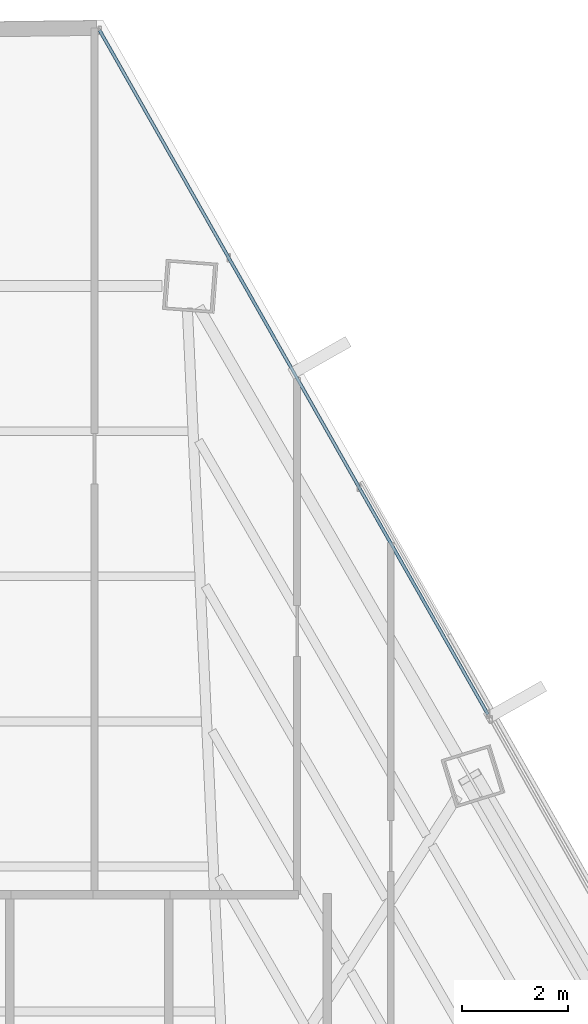
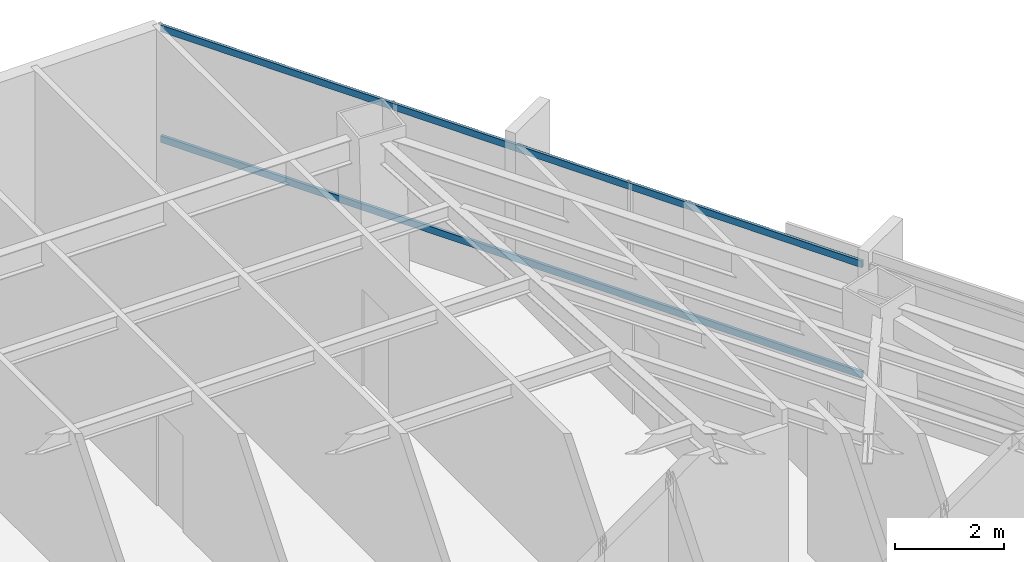
# One storey, part 33 of 42: 2 members, 1 element without a shape of its own.
"""IFC4 building model written with IfcOpenShell, lengths in metres."""

import ifcopenshell
import ifcopenshell.guid

model = None  # the IFC model being written
_history = None  # IfcOwnerHistory: only IFC2X3 demands one
_inside = {}  # id of a spatial element -> (the spatial element, [elements in it])
_under = {}  # id of a project, library or spatial element -> (it, [spatial elements below it])
_declared = {}  # id of a project -> (the project, [libraries it declares])
_typed = {}  # id of a type object -> (the type object, [elements of that type])
_made_of = {}  # id of a material, layer set ... -> (it, [elements and type objects made of it])


def new_model(schema):
    """Start an empty IFC model of exactly this schema.

    Asked for "IFC4X3", IfcOpenShell would pick the latest addendum, in which some entities
    have other attributes; the version numbers below select the first issue.
    IFC2X3 requires an IfcOwnerHistory on every rooted entity: one is made here for all.
    """
    global model, _history
    if schema == "IFC4X3":
        model = ifcopenshell.file(schema_version=(4, 3, 0, 0))
    else:
        model = ifcopenshell.file(schema=schema)
    _inside.clear()
    _under.clear()
    _declared.clear()
    _typed.clear()
    _made_of.clear()
    _history = None
    if model.schema == "IFC2X3":
        org = make("IfcOrganization", Name="unknown")
        user = make(
            "IfcPersonAndOrganization",
            ThePerson=make("IfcPerson", FamilyName="unknown"),
            TheOrganization=org,
        )
        app = make(
            "IfcApplication",
            ApplicationDeveloper=org,
            Version="unknown",
            ApplicationFullName="unknown",
            ApplicationIdentifier="unknown",
        )
        _history = make(
            "IfcOwnerHistory",
            OwningUser=user,
            OwningApplication=app,
            ChangeAction="ADDED",
            CreationDate=0,
        )
    return model


def make(cls, **values):
    """One entity of the class cls with the attributes given. An attribute that is None is left unset."""
    return model.create_entity(
        cls, **{name: value for name, value in values.items() if value is not None}
    )


def rooted(cls, **values):
    """An entity with a GlobalId (a new one), such as an element, a storey or a relation."""
    return make(cls, GlobalId=ifcopenshell.guid.new(), OwnerHistory=_history, **values)


def si_unit(unit_type, name, prefix=None):
    """IfcSIUnit, for example si_unit("LENGTHUNIT", "METRE", prefix="MILLI")."""
    return make("IfcSIUnit", UnitType=unit_type, Prefix=prefix, Name=name)


def assignment(units):
    """IfcUnitAssignment: the units of a project."""
    return None if units is None else make("IfcUnitAssignment", Units=units)


def point(xyz):
    """IfcCartesianPoint."""
    return None if xyz is None else make("IfcCartesianPoint", Coordinates=xyz)


def direction(xyz):
    """IfcDirection."""
    return None if xyz is None else make("IfcDirection", DirectionRatios=xyz)


def frame(location, z_axis=None, x_axis=None):
    """IfcAxis2Placement3D, a coordinate frame: its origin and axes. An axis left out is left unset."""
    return make(
        "IfcAxis2Placement3D",
        Location=point(location),
        Axis=direction(z_axis),
        RefDirection=direction(x_axis),
    )


def frame_2d(location, x_axis=None):
    """IfcAxis2Placement2D, a coordinate frame in the plane: its origin and x axis."""
    return make(
        "IfcAxis2Placement2D", Location=point(location), RefDirection=direction(x_axis)
    )


def origin():
    """The frame at (0, 0, 0) with its axes left unset."""
    return frame((0.0, 0.0, 0.0))


def origin_2d():
    """The frame at (0, 0) in the plane with its x axis left unset."""
    return frame_2d((0.0, 0.0))


def place(relative_to, where):
    """IfcLocalPlacement: puts the frame where relative to a parent placement (None: the world)."""
    return make(
        "IfcLocalPlacement", PlacementRelTo=relative_to, RelativePlacement=where
    )


def context(
    kind, dimensions, precision=None, world=None, true_north=None, identifier=None
):
    """IfcGeometricRepresentationContext, for example the 3D "Model" context."""
    return make(
        "IfcGeometricRepresentationContext",
        ContextIdentifier=identifier,
        ContextType=kind,
        CoordinateSpaceDimension=dimensions,
        Precision=precision,
        WorldCoordinateSystem=world,
        TrueNorth=true_north,
    )


def subcontext(parent, identifier, kind, view, scale=None):
    """IfcGeometricRepresentationSubContext, for example "Body" below "Model"."""
    return make(
        "IfcGeometricRepresentationSubContext",
        ContextIdentifier=identifier,
        ContextType=kind,
        ParentContext=parent,
        TargetScale=scale,
        TargetView=view,
    )


def project(units=None, contexts=None):
    """IfcProject with its units and contexts."""
    return rooted(
        "IfcProject",
        Name="project",
        RepresentationContexts=contexts,
        UnitsInContext=assignment(units),
    )


def spatial(cls, under=None, at=None, **own):
    """A site, building, storey or space (cls), placed at a placement, below another one or the project."""
    s = rooted(cls, ObjectPlacement=at, **own)
    if under is not None:
        _under.setdefault(under.id(), (under, []))[1].append(s)
    return s


def profile(cls, at=None, kind="AREA", **sizes):
    """A parametric profile (cls). Its sizes go by their IFC names, for example OverallWidth=200.0."""
    return make(cls, ProfileType=kind, Position=at, **sizes)


def hollow_rectangle(**sizes):
    """IfcRectangleHollowProfileDef."""
    return profile("IfcRectangleHollowProfileDef", **sizes)


def extrude(swept, where, along, depth):
    """IfcExtrudedAreaSolid: the profile swept, set in the frame where, extruded along a direction by depth."""
    return make(
        "IfcExtrudedAreaSolid",
        SweptArea=swept,
        Position=where,
        ExtrudedDirection=direction(along),
        Depth=depth,
    )


def shape(context_of_items, identifier, shape_type, items):
    """IfcShapeRepresentation: the items that make up one representation, for example the "Body"."""
    return make(
        "IfcShapeRepresentation",
        ContextOfItems=context_of_items,
        RepresentationIdentifier=identifier,
        RepresentationType=shape_type,
        Items=items,
    )


def source(mapping_origin, context_of_items, identifier, shape_type, items):
    """IfcRepresentationMap: a shape defined once, which mapped items show again and again."""
    return make(
        "IfcRepresentationMap",
        MappingOrigin=mapping_origin,
        MappedRepresentation=shape(context_of_items, identifier, shape_type, items),
    )


def transform(
    local_origin,
    x_axis=None,
    y_axis=None,
    z_axis=None,
    scale=None,
    scale2=None,
    scale3=None,
    uniform=True,
):
    """IfcCartesianTransformationOperator3D, or its non-uniform kind. x_axis, y_axis, z_axis: its Axis1, 2, 3."""
    if uniform:
        return make(
            "IfcCartesianTransformationOperator3D",
            Axis1=direction(x_axis),
            Axis2=direction(y_axis),
            LocalOrigin=point(local_origin),
            Scale=scale,
            Axis3=direction(z_axis),
        )
    return make(
        "IfcCartesianTransformationOperator3DnonUniform",
        Axis1=direction(x_axis),
        Axis2=direction(y_axis),
        LocalOrigin=point(local_origin),
        Scale=scale,
        Axis3=direction(z_axis),
        Scale2=scale2,
        Scale3=scale3,
    )


def mapped(mapping_source, mapping_target):
    """IfcMappedItem: shows the shape of a source again, moved by a transform."""
    return make(
        "IfcMappedItem", MappingSource=mapping_source, MappingTarget=mapping_target
    )


def material(Name=None, Category=None):
    """IfcMaterial."""
    return make("IfcMaterial", Name=Name, Category=Category)


def material_profile(
    of_material, cross_section, Name=None, Category=None, Priority=None
):
    """IfcMaterialProfile: a cross section and its material."""
    return make(
        "IfcMaterialProfile",
        Name=Name,
        Material=of_material,
        Profile=cross_section,
        Priority=Priority,
        Category=Category,
    )


def profile_set(profiles, Name=None, composite=None):
    """IfcMaterialProfileSet."""
    return make(
        "IfcMaterialProfileSet",
        Name=Name,
        MaterialProfiles=profiles,
        CompositeProfile=composite,
    )


def made_of(thing, what):
    """Note that an element or type object is made of a material, layer set ...; save() writes the relation."""
    if what is not None:
        _made_of.setdefault(what.id(), (what, []))[1].append(thing)
    return thing


def type_object(cls, material=None, **own):
    """A type object (cls), such as IfcWallType, which elements share."""
    return made_of(rooted(cls, **own), material)


def type_shapes(of_type, sources):
    """Give a type object the sources (RepresentationMaps) that its elements show as mapped items."""
    of_type.RepresentationMaps = sources


def element(
    cls,
    number,
    at=None,
    inside=None,
    cuts=None,
    type_object=None,
    material=None,
    context=None,
    identifier="Body",
    shape_type=None,
    held_by="IfcProductDefinitionShape",
    body=None,
    shapes=None,
    **own,
):
    """One element of the class cls, such as IfcWall. Its Tag is "e" and its number.

    at: its placement. inside: the storey or other place that contains it. cuts: it is an
    opening in that element (IfcRelVoidsElement). A single representation is given by context,
    identifier, shape_type and body (its items); several are given by shapes. held_by: the class
    of the entity that holds the representations. save() writes the other relations.
    """
    e = rooted(cls, Tag="e%d" % number, ObjectPlacement=at, **own)
    if body is not None:
        shapes = [shape(context, identifier, shape_type, body)]
    if shapes is not None:
        e.Representation = make(held_by, Representations=shapes)
    if inside is not None:
        _inside.setdefault(inside.id(), (inside, []))[1].append(e)
    if cuts is not None:
        rooted(
            "IfcRelVoidsElement", RelatingBuildingElement=cuts, RelatedOpeningElement=e
        )
    if type_object is not None:
        _typed.setdefault(type_object.id(), (type_object, []))[1].append(e)
    return made_of(e, material)


def aggregate(whole, parts):
    """IfcRelAggregates: a whole, such as a stair, and the parts it consists of."""
    return rooted("IfcRelAggregates", RelatingObject=whole, RelatedObjects=parts)


def save(model, path):
    """Write the relations noted so far, then the file.

    IfcRelAggregates (storeys below a building ...), IfcRelContainedInSpatialStructure (elements
    in a storey), IfcRelDefinesByType, IfcRelAssociatesMaterial and IfcRelDeclares: one each for
    every whole, place, type object, material and project.
    """
    for whole, parts in _under.values():
        aggregate(whole, parts)
    for where, things in _inside.values():
        rooted(
            "IfcRelContainedInSpatialStructure",
            RelatedElements=things,
            RelatingStructure=where,
        )
    for kind, things in _typed.values():
        rooted("IfcRelDefinesByType", RelatedObjects=things, RelatingType=kind)
    for what, things in _made_of.values():
        rooted("IfcRelAssociatesMaterial", RelatedObjects=things, RelatingMaterial=what)
    for by, libraries in _declared.values():
        rooted("IfcRelDeclares", RelatingContext=by, RelatedDefinitions=libraries)
    model.write(path)


model = new_model("IFC4")

# Units and contexts
model_context = context("Model", 3, precision=1e-05, world=origin(), true_north=direction((0.0, 1.0)))
body_context = subcontext(model_context, "Body", "Model", "MODEL_VIEW")
ifc_project = project(units=[si_unit("LENGTHUNIT", "METRE"), si_unit("AREAUNIT", "SQUARE_METRE"), si_unit("VOLUMEUNIT", "CUBIC_METRE"), si_unit("PLANEANGLEUNIT", "RADIAN"), si_unit("MASSUNIT", "GRAM", prefix="KILO")], contexts=[model_context])

# Site, building, storey
site_placement = place(None, origin())
site = spatial("IfcSite", under=ifc_project, at=site_placement, CompositionType="ELEMENT")
building_placement = place(site_placement, origin())
building = spatial("IfcBuilding", under=site, at=building_placement, Name="Caelisora Broadcast Tower", CompositionType="ELEMENT")
storey_placement = place(building_placement, frame((0.0, 0.0, 131.800048828125)))
storey = spatial("IfcBuildingStorey", under=building, at=storey_placement, Name="L34", CompositionType="ELEMENT", Elevation=131.800048828125)

# Curtain wall, members
ifc_material_1 = material(Name="Unitised Aluminium and Low-E Glass Curtain Wall", Category="glass")
curtain_wall_type = type_object("IfcCurtainWallType", Name="CW-Z3", PredefinedType="NOTDEFINED", material=ifc_material_1)
curtain_wall_placement = place(storey_placement, origin())
curtain_wall = element("IfcCurtainWall", 1, at=curtain_wall_placement, inside=storey, type_object=curtain_wall_type, Name="L34 curtain wall CW-Z3", PredefinedType="NOTDEFINED")
ifc_material_2 = material(Name="Aluminium 6063-T6 Anodised Terracotta Bronze", Category="aluminium")
ifc_material_profile = material_profile(ifc_material_2, hollow_rectangle(XDim=0.06005859375, YDim=0.14990234375, WallThickness=0.00341796875, at=origin_2d()), Name="Aluminium 6063-T6 Anodised Terracotta Bronze")
ifc_profile_set = profile_set([ifc_material_profile], Name="Aluminium 6063-T6 Anodised Terracotta Bronze")
member_type = type_object("IfcMemberType", Name="CWT-02", PredefinedType="USERDEFINED", material=ifc_profile_set)
shared_shape = source(origin(), body_context, "Body", "SweptSolid", [
    extrude(hollow_rectangle(XDim=0.06005859375, YDim=0.14990234375, WallThickness=0.00341796875, at=origin_2d()), origin(), (0.0, 0.0, 1.0), 14.87353515625),
])
type_shapes(member_type, [shared_shape])
member_1_placement = place(storey_placement, frame((43.095703125, 51.297607421875, 0.849853515625), z_axis=(0.493644441775, -0.86966382304, 0.0), x_axis=(0.86966382304, 0.493644441775, 0.0)))
member_1 = element("IfcMember", 2, at=member_1_placement, type_object=member_type, Name="L34-CW-B01 transom #1", ObjectType="TRANSOM", PredefinedType="USERDEFINED", context=body_context, shape_type="MappedRepresentation", body=[
    mapped(shared_shape, transform((0.0, 0.0, 0.0), scale=1.0)),
])
member_2_placement = place(storey_placement, frame((43.095703125, 51.297607421875, 3.320068359375), z_axis=(0.493644441775, -0.86966382304, 0.0), x_axis=(0.86966382304, 0.493644441775, 0.0)))
member_2 = element("IfcMember", 3, at=member_2_placement, type_object=member_type, Name="L34-CW-B01 transom #2", ObjectType="TRANSOM", PredefinedType="USERDEFINED", context=body_context, shape_type="MappedRepresentation", body=[
    mapped(shared_shape, transform((0.0, 0.0, 0.0), scale=1.0)),
])
aggregate(curtain_wall, [member_1, member_2])

save(model, "model.ifc")
